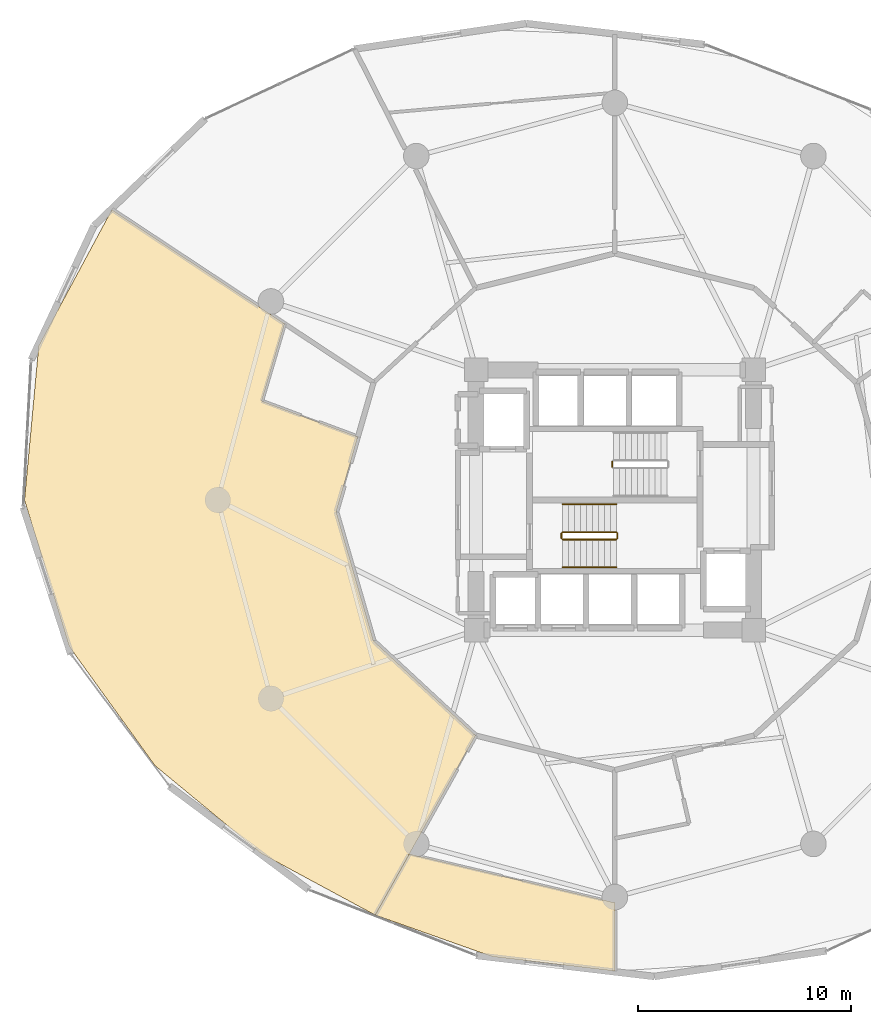
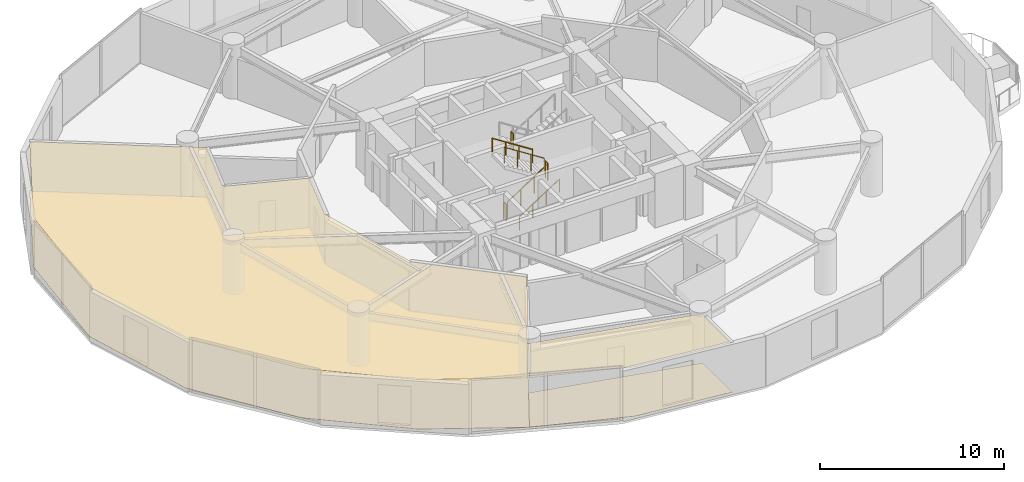
# One storey, part 23 of 25: 7 railings, 4 coverings.
"""IFC4 building model written with IfcOpenShell, lengths in metres."""

from ifc_helpers import new_model, si_unit, direction, frame, origin, origin_2d, place, context, subcontext, project, spatial, polyline, circle, outline, extrude, material, layer, layer_set, type_object, element, save


model = new_model("IFC4")

# Units and contexts
model_context = context("Model", 3, precision=1e-05, world=origin(), true_north=direction((0.0, 1.0)))
body_context = subcontext(model_context, "Body", "Model", "MODEL_VIEW")
ifc_project = project(units=[si_unit("LENGTHUNIT", "METRE"), si_unit("AREAUNIT", "SQUARE_METRE"), si_unit("VOLUMEUNIT", "CUBIC_METRE"), si_unit("PLANEANGLEUNIT", "RADIAN"), si_unit("MASSUNIT", "GRAM", prefix="KILO")], contexts=[model_context])

# Site, building, storey
site_placement = place(None, origin())
site = spatial("IfcSite", under=ifc_project, at=site_placement, CompositionType="ELEMENT")
building_placement = place(site_placement, origin())
building = spatial("IfcBuilding", under=site, at=building_placement, Name="Solvirekh Grand Hotel", CompositionType="ELEMENT")
storey_placement = place(building_placement, frame((0.0, 0.0, 57.199951171875)))
storey = spatial("IfcBuildingStorey", under=building, at=storey_placement, Name="L13", CompositionType="ELEMENT", Elevation=57.199951171875)

# Coverings
ifc_material_1 = material(Name="Acoustic Mineral Ceiling Tile")
ifc_layer_1 = layer(ifc_material_1, 0.02490234375)
ifc_layer_set_1 = layer_set([ifc_layer_1], Name="Acoustic Mineral Ceiling Tile")
covering_type_1 = type_object("IfcCoveringType", Name="Cov_Ceiling_Acoustic", PredefinedType="CEILING", material=ifc_layer_set_1)
covering_1_placement = place(storey_placement, frame((0.0, 0.0, 3.2900390625)))
element("IfcCovering", 1, at=covering_1_placement, inside=storey, type_object=covering_type_1, Name="L13 Presidential Suite 1501 Living Room acoustic ceiling", PredefinedType="CEILING", context=body_context, shape_type="SweptSolid", body=[
    extrude(outline(polyline([(-16.5380859375, 4.635009765625), (-15.468994140625, 8.25390625), (-23.55810546875, 13.60107421875), (-26.985107421875, 7.23095703125), (-27.652099609375, 0.0), (-25.56396484375, -6.85009765625), (-21.5439453125, -12.43798828125), (-16.56005859375, -16.56005859375), (-11.22509765625, -19.44189453125), (-6.52490234375, -11.029052734375), (-11.302001953125, -6.60009765625), (-13.050048828125, -0.550048828125), (-12.035888671875, 2.958984375), (-16.5380859375, 4.635009765625)])), origin(), (0.0, 0.0, 1.0), 0.01806640625),
])
covering_2_placement = place(storey_placement, frame((0.0, 0.0, 3.2900390625)))
element("IfcCovering", 2, at=covering_2_placement, inside=storey, type_object=covering_type_1, Name="L13 Presidential Suite 1501 Master Bedroom acoustic ceiling", PredefinedType="CEILING", context=body_context, shape_type="SweptSolid", body=[
    extrude(outline(polyline([(-11.22509765625, -19.44189453125), (-5.73095703125, -21.389892578125), (0.0, -22.06591796875), (0.0, -18.864990234375), (-9.626953125, -16.58203125), (-11.22509765625, -19.44189453125)])), origin(), (0.0, 0.0, 1.0), 0.01806640625),
])
ifc_material_2 = material(Name="Porcelain Stoneware Flooring", Category="masonry")
ifc_layer_2 = layer(ifc_material_2, 0.030029296875)
ifc_layer_set_2 = layer_set([ifc_layer_2], Name="Porcelain Stoneware Flooring")
covering_type_2 = type_object("IfcCoveringType", Name="Cov_Floor_Stone", PredefinedType="FLOORING", material=ifc_layer_set_2)
covering_3_placement = place(storey_placement, origin())
element("IfcCovering", 3, at=covering_3_placement, inside=storey, type_object=covering_type_2, Name="L13 Presidential Suite 1501 Living Room polished granite flooring", PredefinedType="FLOORING", context=body_context, shape_type="SweptSolid", body=[
    extrude(outline(polyline([(-16.5380859375, 4.635009765625), (-15.468994140625, 8.25390625), (-23.55810546875, 13.60107421875), (-26.985107421875, 7.23095703125), (-27.652099609375, 0.0), (-25.56396484375, -6.85009765625), (-21.5439453125, -12.43798828125), (-16.56005859375, -16.56005859375), (-11.22509765625, -19.44189453125), (-6.52490234375, -11.029052734375), (-11.302001953125, -6.60009765625), (-13.050048828125, -0.550048828125), (-12.035888671875, 2.958984375), (-16.5380859375, 4.635009765625)])), origin(), (0.0, 0.0, 1.0), 0.02001953125),
])
covering_4_placement = place(storey_placement, origin())
element("IfcCovering", 4, at=covering_4_placement, inside=storey, type_object=covering_type_2, Name="L13 Presidential Suite 1501 Master Bedroom polished granite flooring", PredefinedType="FLOORING", context=body_context, shape_type="SweptSolid", body=[
    extrude(outline(polyline([(-11.22509765625, -19.44189453125), (-5.73095703125, -21.389892578125), (0.0, -22.06591796875), (0.0, -18.864990234375), (-9.626953125, -16.58203125), (-11.22509765625, -19.44189453125)])), origin(), (0.0, 0.0, 1.0), 0.02001953125),
])

# Railings
ifc_material_3 = material(Name="Steel S355", Category="steel")
railing_type_1 = type_object("IfcRailingType", Name="Guard_Stair_1100", PredefinedType="GUARDRAIL", material=ifc_material_3)
railing_1_placement = place(storey_placement, frame((-2.449951171875, -1.85009765625, 0.179931640625)))
element("IfcRailing", 5, at=railing_1_placement, inside=storey, type_object=railing_type_1, Name="L13 ST-1 stair guard 1", PredefinedType="GUARDRAIL", context=body_context, shape_type="SweptSolid", body=[
    extrude(circle(Radius=0.02392578125, at=origin_2d()), frame((0.0, 0.0, 1.076171875), z_axis=(0.841162588446, 0.0, 0.540782303519), x_axis=(0.0, 1.0, 0.0)), (0.0, 0.0, 1.0), 2.995849609375),
    extrude(circle(Radius=0.02099609375, at=origin_2d()), origin(), (0.0, 0.0, 1.0), 1.052001953125),
    extrude(circle(Radius=0.02099609375, at=origin_2d()), frame((0.840087890625, 0.0, 0.5400390625)), (0.0, 0.0, 1.0), 1.052001953125),
    extrude(circle(Radius=0.02099609375, at=origin_2d()), frame((1.679931640625, 0.0, 1.080078125)), (0.0, 0.0, 1.0), 1.052001953125),
    extrude(circle(Radius=0.02099609375, at=origin_2d()), frame((2.52001953125, 0.0, 1.6201171875)), (0.0, 0.0, 1.0), 1.052001953125),
])
railing_2_placement = place(storey_placement, frame((0.1201171875, -1.800048828125, 1.800048828125)))
element("IfcRailing", 6, at=railing_2_placement, inside=storey, type_object=railing_type_1, Name="L13 ST-1 stair guard 2", PredefinedType="GUARDRAIL", context=body_context, shape_type="SweptSolid", body=[
    extrude(circle(Radius=0.02392578125, at=origin_2d()), frame((0.0, 0.0, 1.076171875), z_axis=(0.0, 1.0, 0.0), x_axis=(-1.0, 0.0, 0.0)), (0.0, 0.0, 1.0), 0.25),
    extrude(circle(Radius=0.02099609375, at=origin_2d()), origin(), (0.0, 0.0, 1.0), 1.052001953125),
    extrude(circle(Radius=0.02099609375, at=origin_2d()), frame((0.0, 0.25, 0.0)), (0.0, 0.0, 1.0), 1.052001953125),
])
railing_3_placement = place(storey_placement, frame((0.070068359375, -1.5, 1.97998046875)))
element("IfcRailing", 7, at=railing_3_placement, inside=storey, type_object=railing_type_1, Name="L13 ST-1 stair guard 3", PredefinedType="GUARDRAIL", context=body_context, shape_type="SweptSolid", body=[
    extrude(circle(Radius=0.02392578125, at=origin_2d()), frame((0.0, 0.0, 1.076171875), z_axis=(-0.841162588446, 0.0, 0.540782303519), x_axis=(0.0, -1.0, 0.0)), (0.0, 0.0, 1.0), 2.995849609375),
    extrude(circle(Radius=0.02099609375, at=origin_2d()), origin(), (0.0, 0.0, 1.0), 1.052001953125),
    extrude(circle(Radius=0.02099609375, at=origin_2d()), frame((-0.840087890625, 0.0, 0.5400390625)), (0.0, 0.0, 1.0), 1.052001953125),
    extrude(circle(Radius=0.02099609375, at=origin_2d()), frame((-1.679931640625, 0.0, 1.080078125)), (0.0, 0.0, 1.0), 1.052001953125),
    extrude(circle(Radius=0.02099609375, at=origin_2d()), frame((-2.52001953125, 0.0, 1.6201171875)), (0.0, 0.0, 1.0), 1.052001953125),
])
railing_4_placement = place(storey_placement, frame((-2.5, -1.800048828125, 0.0)))
element("IfcRailing", 8, at=railing_4_placement, inside=storey, type_object=railing_type_1, Name="L13 ST-1 stair guard 4", PredefinedType="GUARDRAIL", context=body_context, shape_type="SweptSolid", body=[
    extrude(circle(Radius=0.02392578125, at=origin_2d()), frame((0.0, 0.0, 1.076171875), z_axis=(0.0, 1.0, 0.0), x_axis=(-1.0, 0.0, 0.0)), (0.0, 0.0, 1.0), 0.25),
    extrude(circle(Radius=0.02099609375, at=origin_2d()), origin(), (0.0, 0.0, 1.0), 1.052001953125),
    extrude(circle(Radius=0.02099609375, at=origin_2d()), frame((0.0, 0.25, 0.0)), (0.0, 0.0, 1.0), 1.052001953125),
])
railing_5_placement = place(storey_placement, frame((-0.1201171875, 1.800048828125, 1.800048828125)))
element("IfcRailing", 9, at=railing_5_placement, inside=storey, type_object=railing_type_1, Name="L13 ST-2 stair guard 2", PredefinedType="GUARDRAIL", context=body_context, shape_type="SweptSolid", body=[
    extrude(circle(Radius=0.02392578125, at=origin_2d()), frame((0.0, 0.0, 1.076171875), z_axis=(0.0, -1.0, 0.0), x_axis=(1.0, 0.0, 0.0)), (0.0, 0.0, 1.0), 0.25),
    extrude(circle(Radius=0.02099609375, at=origin_2d()), origin(), (0.0, 0.0, 1.0), 1.052001953125),
    extrude(circle(Radius=0.02099609375, at=origin_2d()), frame((0.0, -0.25, 0.0)), (0.0, 0.0, 1.0), 1.052001953125),
])
ifc_material_4 = material(Name="Anodized Bronze Aluminium 6063-T6", Category="aluminium")
railing_type_2 = type_object("IfcRailingType", Name="Handrail_Wall_900", PredefinedType="HANDRAIL", material=ifc_material_4)
railing_6_placement = place(storey_placement, frame((-2.449951171875, -3.14990234375, 0.179931640625)))
element("IfcRailing", 10, at=railing_6_placement, inside=storey, type_object=railing_type_2, Name="L13 ST-1 stair handrail 1", PredefinedType="HANDRAIL", context=body_context, shape_type="SweptSolid", body=[
    extrude(circle(Radius=0.02392578125, at=origin_2d()), frame((0.0, 0.0, 0.8759765625), z_axis=(0.841162588446, 0.0, 0.540782303519), x_axis=(0.0, 1.0, 0.0)), (0.0, 0.0, 1.0), 2.995849609375),
    extrude(circle(Radius=0.02099609375, at=origin_2d()), origin(), (0.0, 0.0, 1.0), 0.851806640625),
    extrude(circle(Radius=0.02099609375, at=origin_2d()), frame((0.840087890625, 0.0, 0.5400390625)), (0.0, 0.0, 1.0), 0.851806640625),
    extrude(circle(Radius=0.02099609375, at=origin_2d()), frame((1.679931640625, 0.0, 1.080078125)), (0.0, 0.0, 1.0), 0.851806640625),
    extrude(circle(Radius=0.02099609375, at=origin_2d()), frame((2.52001953125, 0.0, 1.6201171875)), (0.0, 0.0, 1.0), 0.851806640625),
])
railing_7_placement = place(storey_placement, frame((0.070068359375, -0.199951171875, 1.97998046875)))
element("IfcRailing", 11, at=railing_7_placement, inside=storey, type_object=railing_type_2, Name="L13 ST-1 stair handrail 2", PredefinedType="HANDRAIL", context=body_context, shape_type="SweptSolid", body=[
    extrude(circle(Radius=0.02392578125, at=origin_2d()), frame((0.0, 0.0, 0.8759765625), z_axis=(-0.841162588446, 0.0, 0.540782303519), x_axis=(0.0, -1.0, 0.0)), (0.0, 0.0, 1.0), 2.995849609375),
    extrude(circle(Radius=0.02099609375, at=origin_2d()), origin(), (0.0, 0.0, 1.0), 0.851806640625),
    extrude(circle(Radius=0.02099609375, at=origin_2d()), frame((-0.840087890625, 0.0, 0.5400390625)), (0.0, 0.0, 1.0), 0.851806640625),
    extrude(circle(Radius=0.02099609375, at=origin_2d()), frame((-1.679931640625, 0.0, 1.080078125)), (0.0, 0.0, 1.0), 0.851806640625),
    extrude(circle(Radius=0.02099609375, at=origin_2d()), frame((-2.52001953125, 0.0, 1.6201171875)), (0.0, 0.0, 1.0), 0.851806640625),
])

save(model, "model.ifc")
